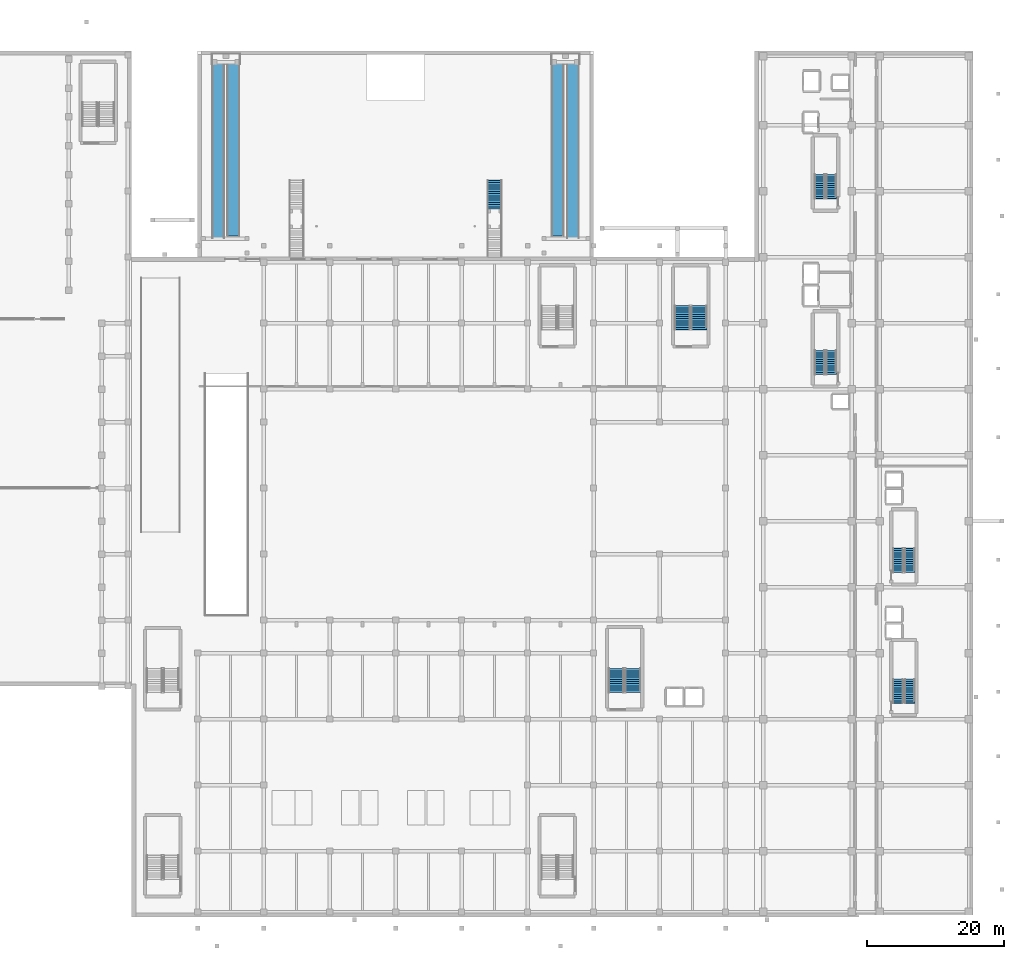
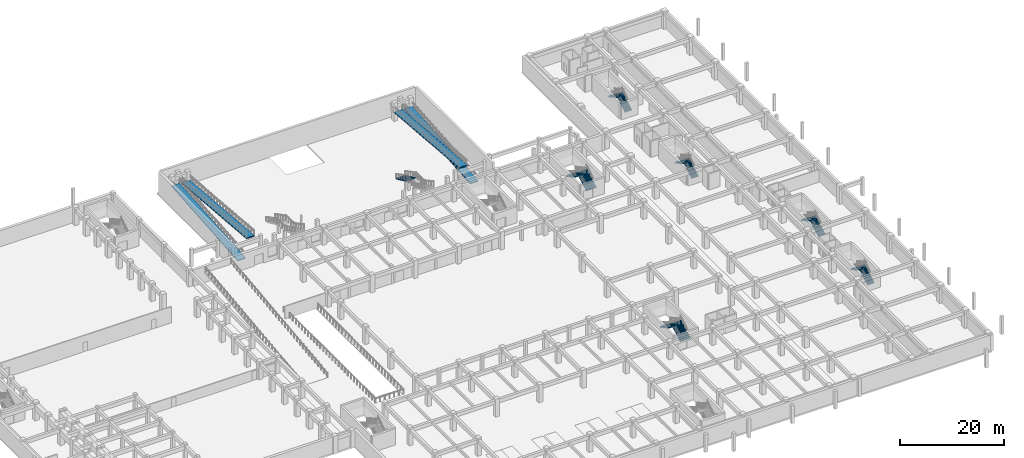
# One storey, part 20 of 39: 13 stair flights, 4 ramp flights, 9 elements without a shape of their own.
"""IFC4 building model written with IfcOpenShell, lengths in metres."""

from ifc_helpers import new_model, si_unit, direction, frame, origin, place, context, subcontext, project, spatial, polyline, outline, extrude, material, layer, layer_set, type_object, element, aggregate, save


model = new_model("IFC4")

# Units and contexts
model_context = context("Model", 3, precision=1e-05, world=origin(), true_north=direction((0.0, 1.0)))
body_context = subcontext(model_context, "Body", "Model", "MODEL_VIEW")
ifc_project = project(units=[si_unit("LENGTHUNIT", "METRE"), si_unit("AREAUNIT", "SQUARE_METRE"), si_unit("VOLUMEUNIT", "CUBIC_METRE"), si_unit("PLANEANGLEUNIT", "RADIAN"), si_unit("MASSUNIT", "GRAM", prefix="KILO")], contexts=[model_context])

# Site, building, storey
site_placement = place(None, origin())
site = spatial("IfcSite", under=ifc_project, at=site_placement, CompositionType="ELEMENT")
building_placement = place(site_placement, origin())
building = spatial("IfcBuilding", under=site, at=building_placement, Name="Nakhvara Creek Congress Hotel", CompositionType="ELEMENT")
storey_placement = place(building_placement, frame((0.0, 0.0, -4.199951171875)))
storey = spatial("IfcBuildingStorey", under=building, at=storey_placement, Name="B1", CompositionType="ELEMENT", Elevation=-4.199951171875)

# Stair, stair flights
ifc_material = material(Name="Concrete C40/50", Category="concrete")
stair_type_1 = type_object("IfcStairType", Name="ST-CORE-160", PredefinedType="HALF_TURN_STAIR", material=ifc_material)
stair_1_placement = place(storey_placement, origin())
stair_1 = element("IfcStair", 1, at=stair_1_placement, inside=storey, type_object=stair_type_1, Name="B1 Protected Exit Stair ST01", PredefinedType="HALF_TURN_STAIR")
ifc_layer_1 = layer(ifc_material, 0.18994140625)
ifc_layer_set_1 = layer_set([ifc_layer_1], Name="Concrete C40/50")
stair_flight_type_1 = type_object("IfcStairFlightType", Name="SFL-RC-160", PredefinedType="STRAIGHT", material=ifc_layer_set_1)
stair_flight_1_placement = place(storey_placement, frame((159.3798828125, 78.93994140625, 0.0), z_axis=(0.0, 0.0, 1.0), x_axis=(0.0, 1.0, 0.0)))
stair_flight_1 = element("IfcStairFlight", 2, at=stair_flight_1_placement, type_object=stair_flight_type_1, Name="ST01 flight 1", NumberOfRisers=12, NumberOfTreads=11, PredefinedType="STRAIGHT", RiserHeight=0.175, TreadLength=0.315, context=body_context, shape_type="SweptSolid", body=[
    extrude(outline(polyline([(-0.048095703125, 0.0), (0.0, 0.0), (0.0, 0.175048828125), (0.31494140625, 0.175048828125), (0.31494140625, 0.35009765625), (0.6298828125, 0.35009765625), (0.6298828125, 0.52490234375), (0.945068359375, 0.52490234375), (0.945068359375, 0.699951171875), (1.260009765625, 0.699951171875), (1.260009765625, 0.875), (1.574951171875, 0.875), (1.574951171875, 1.050048828125), (1.889892578125, 1.050048828125), (1.889892578125, 1.22509765625), (2.205078125, 1.22509765625), (2.205078125, 1.39990234375), (2.52001953125, 1.39990234375), (2.52001953125, 1.574951171875), (2.8349609375, 1.574951171875), (2.8349609375, 1.75), (3.14990234375, 1.75), (3.14990234375, 1.925048828125), (3.465087890625, 1.925048828125), (3.465087890625, 2.10009765625), (3.51318359375, 2.10009765625), (3.51318359375, 1.9501953125), (3.465087890625, 1.75341796875), (0.038818359375, -0.14990234375), (-0.048095703125, -0.14990234375), (-0.048095703125, 0.0)])), frame((0.0, 0.77001953125, 0.0), z_axis=(0.0, -1.0, 0.0), x_axis=(1.0, 0.0, 0.0)), (0.0, 0.0, 1.0), 1.5400390625),
])
stair_flight_2_placement = place(storey_placement, frame((157.68994140625, 82.405029296875, 2.099853515625), z_axis=(0.0, 0.0, 1.0), x_axis=(0.0, -1.0, 0.0)))
stair_flight_2 = element("IfcStairFlight", 3, at=stair_flight_2_placement, type_object=stair_flight_type_1, Name="ST01 flight 2", NumberOfRisers=12, NumberOfTreads=11, PredefinedType="STRAIGHT", RiserHeight=0.175, TreadLength=0.315, context=body_context, shape_type="SweptSolid", body=[
    extrude(outline(polyline([(-0.048095703125, 0.0), (0.0, 0.0), (0.0, 0.175048828125), (0.31494140625, 0.175048828125), (0.31494140625, 0.35009765625), (0.6298828125, 0.35009765625), (0.6298828125, 0.52490234375), (0.945068359375, 0.52490234375), (0.945068359375, 0.699951171875), (1.260009765625, 0.699951171875), (1.260009765625, 0.875), (1.574951171875, 0.875), (1.574951171875, 1.050048828125), (1.889892578125, 1.050048828125), (1.889892578125, 1.22509765625), (2.205078125, 1.22509765625), (2.205078125, 1.39990234375), (2.52001953125, 1.39990234375), (2.52001953125, 1.574951171875), (2.8349609375, 1.574951171875), (2.8349609375, 1.75), (3.14990234375, 1.75), (3.14990234375, 1.925048828125), (3.465087890625, 1.925048828125), (3.465087890625, 2.10009765625), (3.51318359375, 2.10009765625), (3.51318359375, 1.9501953125), (3.465087890625, 1.75341796875), (0.038818359375, -0.14990234375), (-0.048095703125, -0.14990234375), (-0.048095703125, 0.0)])), frame((0.0, 0.77001953125, 0.0), z_axis=(0.0, -1.0, 0.0), x_axis=(1.0, 0.0, 0.0)), (0.0, 0.0, 1.0), 1.5400390625),
])
aggregate(stair_1, [stair_flight_1, stair_flight_2])

stair_2_placement = place(storey_placement, origin())
stair_2 = element("IfcStair", 4, at=stair_2_placement, inside=storey, type_object=stair_type_1, Name="B1 Protected Exit Stair ST02", PredefinedType="HALF_TURN_STAIR")
stair_flight_3_placement = place(storey_placement, frame((159.3798828125, 104.5400390625, 0.0), z_axis=(0.0, 0.0, 1.0), x_axis=(0.0, 1.0, 0.0)))
stair_flight_3 = element("IfcStairFlight", 5, at=stair_flight_3_placement, type_object=stair_flight_type_1, Name="ST02 flight 1", NumberOfRisers=12, NumberOfTreads=11, PredefinedType="STRAIGHT", RiserHeight=0.175, TreadLength=0.315, context=body_context, shape_type="SweptSolid", body=[
    extrude(outline(polyline([(-0.048095703125, 0.0), (0.0, 0.0), (0.0, 0.175048828125), (0.31494140625, 0.175048828125), (0.31494140625, 0.35009765625), (0.6298828125, 0.35009765625), (0.6298828125, 0.52490234375), (0.945068359375, 0.52490234375), (0.945068359375, 0.699951171875), (1.260009765625, 0.699951171875), (1.260009765625, 0.875), (1.574951171875, 0.875), (1.574951171875, 1.050048828125), (1.889892578125, 1.050048828125), (1.889892578125, 1.22509765625), (2.205078125, 1.22509765625), (2.205078125, 1.39990234375), (2.52001953125, 1.39990234375), (2.52001953125, 1.574951171875), (2.8349609375, 1.574951171875), (2.8349609375, 1.75), (3.14990234375, 1.75), (3.14990234375, 1.925048828125), (3.465087890625, 1.925048828125), (3.465087890625, 2.10009765625), (3.51318359375, 2.10009765625), (3.51318359375, 1.9501953125), (3.465087890625, 1.75341796875), (0.038818359375, -0.14990234375), (-0.048095703125, -0.14990234375), (-0.048095703125, 0.0)])), frame((0.0, 0.77001953125, 0.0), z_axis=(0.0, -1.0, 0.0), x_axis=(1.0, 0.0, 0.0)), (0.0, 0.0, 1.0), 1.5400390625),
])
stair_flight_4_placement = place(storey_placement, frame((157.68994140625, 108.0048828125, 2.099853515625), z_axis=(0.0, 0.0, 1.0), x_axis=(0.0, -1.0, 0.0)))
stair_flight_4 = element("IfcStairFlight", 6, at=stair_flight_4_placement, type_object=stair_flight_type_1, Name="ST02 flight 2", NumberOfRisers=12, NumberOfTreads=11, PredefinedType="STRAIGHT", RiserHeight=0.175, TreadLength=0.315, context=body_context, shape_type="SweptSolid", body=[
    extrude(outline(polyline([(-0.048095703125, 0.0), (0.0, 0.0), (0.0, 0.175048828125), (0.31494140625, 0.175048828125), (0.31494140625, 0.35009765625), (0.6298828125, 0.35009765625), (0.6298828125, 0.52490234375), (0.945068359375, 0.52490234375), (0.945068359375, 0.699951171875), (1.260009765625, 0.699951171875), (1.260009765625, 0.875), (1.574951171875, 0.875), (1.574951171875, 1.050048828125), (1.889892578125, 1.050048828125), (1.889892578125, 1.22509765625), (2.205078125, 1.22509765625), (2.205078125, 1.39990234375), (2.52001953125, 1.39990234375), (2.52001953125, 1.574951171875), (2.8349609375, 1.574951171875), (2.8349609375, 1.75), (3.14990234375, 1.75), (3.14990234375, 1.925048828125), (3.465087890625, 1.925048828125), (3.465087890625, 2.10009765625), (3.51318359375, 2.10009765625), (3.51318359375, 1.9501953125), (3.465087890625, 1.75341796875), (0.038818359375, -0.14990234375), (-0.048095703125, -0.14990234375), (-0.048095703125, 0.0)])), frame((0.0, 0.77001953125, 0.0), z_axis=(0.0, -1.0, 0.0), x_axis=(1.0, 0.0, 0.0)), (0.0, 0.0, 1.0), 1.5400390625),
])
aggregate(stair_2, [stair_flight_3, stair_flight_4])

stair_3_placement = place(storey_placement, origin())
stair_3 = element("IfcStair", 7, at=stair_3_placement, inside=storey, type_object=stair_type_1, Name="B1 Protected Exit Stair ST03", PredefinedType="HALF_TURN_STAIR")
stair_flight_5_placement = place(storey_placement, frame((170.780029296875, 31.139892578125, 0.0), z_axis=(0.0, 0.0, 1.0), x_axis=(0.0, 1.0, 0.0)))
stair_flight_5 = element("IfcStairFlight", 8, at=stair_flight_5_placement, type_object=stair_flight_type_1, Name="ST03 flight 1", NumberOfRisers=12, NumberOfTreads=11, PredefinedType="STRAIGHT", RiserHeight=0.175, TreadLength=0.315, context=body_context, shape_type="SweptSolid", body=[
    extrude(outline(polyline([(-0.048095703125, 0.0), (0.0, 0.0), (0.0, 0.175048828125), (0.31494140625, 0.175048828125), (0.31494140625, 0.35009765625), (0.6298828125, 0.35009765625), (0.6298828125, 0.52490234375), (0.945068359375, 0.52490234375), (0.945068359375, 0.699951171875), (1.260009765625, 0.699951171875), (1.260009765625, 0.875), (1.574951171875, 0.875), (1.574951171875, 1.050048828125), (1.889892578125, 1.050048828125), (1.889892578125, 1.22509765625), (2.205078125, 1.22509765625), (2.205078125, 1.39990234375), (2.52001953125, 1.39990234375), (2.52001953125, 1.574951171875), (2.8349609375, 1.574951171875), (2.8349609375, 1.75), (3.14990234375, 1.75), (3.14990234375, 1.925048828125), (3.465087890625, 1.925048828125), (3.465087890625, 2.10009765625), (3.51318359375, 2.10009765625), (3.51318359375, 1.9501953125), (3.465087890625, 1.75341796875), (0.038818359375, -0.14990234375), (-0.048095703125, -0.14990234375), (-0.048095703125, 0.0)])), frame((0.0, 0.77001953125, 0.0), z_axis=(0.0, -1.0, 0.0), x_axis=(1.0, 0.0, 0.0)), (0.0, 0.0, 1.0), 1.5400390625),
])
stair_flight_6_placement = place(storey_placement, frame((169.090087890625, 34.60498046875, 2.099853515625), z_axis=(0.0, 0.0, 1.0), x_axis=(0.0, -1.0, 0.0)))
stair_flight_6 = element("IfcStairFlight", 9, at=stair_flight_6_placement, type_object=stair_flight_type_1, Name="ST03 flight 2", NumberOfRisers=12, NumberOfTreads=11, PredefinedType="STRAIGHT", RiserHeight=0.175, TreadLength=0.315, context=body_context, shape_type="SweptSolid", body=[
    extrude(outline(polyline([(-0.048095703125, 0.0), (0.0, 0.0), (0.0, 0.175048828125), (0.31494140625, 0.175048828125), (0.31494140625, 0.35009765625), (0.6298828125, 0.35009765625), (0.6298828125, 0.52490234375), (0.945068359375, 0.52490234375), (0.945068359375, 0.699951171875), (1.260009765625, 0.699951171875), (1.260009765625, 0.875), (1.574951171875, 0.875), (1.574951171875, 1.050048828125), (1.889892578125, 1.050048828125), (1.889892578125, 1.22509765625), (2.205078125, 1.22509765625), (2.205078125, 1.39990234375), (2.52001953125, 1.39990234375), (2.52001953125, 1.574951171875), (2.8349609375, 1.574951171875), (2.8349609375, 1.75), (3.14990234375, 1.75), (3.14990234375, 1.925048828125), (3.465087890625, 1.925048828125), (3.465087890625, 2.10009765625), (3.51318359375, 2.10009765625), (3.51318359375, 1.9501953125), (3.465087890625, 1.75341796875), (0.038818359375, -0.14990234375), (-0.048095703125, -0.14990234375), (-0.048095703125, 0.0)])), frame((0.0, 0.77001953125, 0.0), z_axis=(0.0, -1.0, 0.0), x_axis=(1.0, 0.0, 0.0)), (0.0, 0.0, 1.0), 1.5400390625),
])
aggregate(stair_3, [stair_flight_5, stair_flight_6])

stair_4_placement = place(storey_placement, origin())
stair_4 = element("IfcStair", 10, at=stair_4_placement, inside=storey, type_object=stair_type_1, Name="B1 Protected Exit Stair ST04", PredefinedType="HALF_TURN_STAIR")
stair_flight_7_placement = place(storey_placement, frame((170.780029296875, 50.139892578125, 0.0), z_axis=(0.0, 0.0, 1.0), x_axis=(0.0, 1.0, 0.0)))
stair_flight_7 = element("IfcStairFlight", 11, at=stair_flight_7_placement, type_object=stair_flight_type_1, Name="ST04 flight 1", NumberOfRisers=12, NumberOfTreads=11, PredefinedType="STRAIGHT", RiserHeight=0.175, TreadLength=0.315, context=body_context, shape_type="SweptSolid", body=[
    extrude(outline(polyline([(-0.048095703125, 0.0), (0.0, 0.0), (0.0, 0.175048828125), (0.31494140625, 0.175048828125), (0.31494140625, 0.35009765625), (0.6298828125, 0.35009765625), (0.6298828125, 0.52490234375), (0.945068359375, 0.52490234375), (0.945068359375, 0.699951171875), (1.260009765625, 0.699951171875), (1.260009765625, 0.875), (1.574951171875, 0.875), (1.574951171875, 1.050048828125), (1.889892578125, 1.050048828125), (1.889892578125, 1.22509765625), (2.205078125, 1.22509765625), (2.205078125, 1.39990234375), (2.52001953125, 1.39990234375), (2.52001953125, 1.574951171875), (2.8349609375, 1.574951171875), (2.8349609375, 1.75), (3.14990234375, 1.75), (3.14990234375, 1.925048828125), (3.465087890625, 1.925048828125), (3.465087890625, 2.10009765625), (3.51318359375, 2.10009765625), (3.51318359375, 1.9501953125), (3.465087890625, 1.75341796875), (0.038818359375, -0.14990234375), (-0.048095703125, -0.14990234375), (-0.048095703125, 0.0)])), frame((0.0, 0.77001953125, 0.0), z_axis=(0.0, -1.0, 0.0), x_axis=(1.0, 0.0, 0.0)), (0.0, 0.0, 1.0), 1.5400390625),
])
stair_flight_8_placement = place(storey_placement, frame((169.090087890625, 53.60498046875, 2.099853515625), z_axis=(0.0, 0.0, 1.0), x_axis=(0.0, -1.0, 0.0)))
stair_flight_8 = element("IfcStairFlight", 12, at=stair_flight_8_placement, type_object=stair_flight_type_1, Name="ST04 flight 2", NumberOfRisers=12, NumberOfTreads=11, PredefinedType="STRAIGHT", RiserHeight=0.175, TreadLength=0.315, context=body_context, shape_type="SweptSolid", body=[
    extrude(outline(polyline([(-0.048095703125, 0.0), (0.0, 0.0), (0.0, 0.175048828125), (0.31494140625, 0.175048828125), (0.31494140625, 0.35009765625), (0.6298828125, 0.35009765625), (0.6298828125, 0.52490234375), (0.945068359375, 0.52490234375), (0.945068359375, 0.699951171875), (1.260009765625, 0.699951171875), (1.260009765625, 0.875), (1.574951171875, 0.875), (1.574951171875, 1.050048828125), (1.889892578125, 1.050048828125), (1.889892578125, 1.22509765625), (2.205078125, 1.22509765625), (2.205078125, 1.39990234375), (2.52001953125, 1.39990234375), (2.52001953125, 1.574951171875), (2.8349609375, 1.574951171875), (2.8349609375, 1.75), (3.14990234375, 1.75), (3.14990234375, 1.925048828125), (3.465087890625, 1.925048828125), (3.465087890625, 2.10009765625), (3.51318359375, 2.10009765625), (3.51318359375, 1.9501953125), (3.465087890625, 1.75341796875), (0.038818359375, -0.14990234375), (-0.048095703125, -0.14990234375), (-0.048095703125, 0.0)])), frame((0.0, 0.77001953125, 0.0), z_axis=(0.0, -1.0, 0.0), x_axis=(1.0, 0.0, 0.0)), (0.0, 0.0, 1.0), 1.5400390625),
])
aggregate(stair_4, [stair_flight_7, stair_flight_8])

stair_type_2 = type_object("IfcStairType", Name="ST-CORE-230", PredefinedType="HALF_TURN_STAIR", material=ifc_material)
stair_5_placement = place(storey_placement, origin())
stair_5 = element("IfcStair", 13, at=stair_5_placement, inside=storey, type_object=stair_type_2, Name="B1 Protected Exit Stair ST06", PredefinedType="HALF_TURN_STAIR")
ifc_layer_2 = layer(ifc_material, 0.219970703125)
ifc_layer_set_2 = layer_set([ifc_layer_2], Name="Concrete C40/50")
stair_flight_type_2 = type_object("IfcStairFlightType", Name="SFL-RC-230", PredefinedType="STRAIGHT", material=ifc_layer_set_2)
stair_flight_9_placement = place(storey_placement, frame((130.52001953125, 32.679931640625, 0.0), z_axis=(0.0, 0.0, 1.0), x_axis=(0.0, 1.0, 0.0)))
stair_flight_9 = element("IfcStairFlight", 14, at=stair_flight_9_placement, type_object=stair_flight_type_2, Name="ST06 flight 1", NumberOfRisers=12, NumberOfTreads=11, PredefinedType="STRAIGHT", RiserHeight=0.175, TreadLength=0.315, context=body_context, shape_type="SweptSolid", body=[
    extrude(outline(polyline([(-0.048095703125, 0.0), (0.0, 0.0), (0.0, 0.175048828125), (0.31494140625, 0.175048828125), (0.31494140625, 0.35009765625), (0.6298828125, 0.35009765625), (0.6298828125, 0.52490234375), (0.945068359375, 0.52490234375), (0.945068359375, 0.699951171875), (1.260009765625, 0.699951171875), (1.260009765625, 0.875), (1.574951171875, 0.875), (1.574951171875, 1.050048828125), (1.889892578125, 1.050048828125), (1.889892578125, 1.22509765625), (2.205078125, 1.22509765625), (2.205078125, 1.39990234375), (2.52001953125, 1.39990234375), (2.52001953125, 1.574951171875), (2.8349609375, 1.574951171875), (2.8349609375, 1.75), (3.14990234375, 1.75), (3.14990234375, 1.925048828125), (3.465087890625, 1.925048828125), (3.465087890625, 2.10009765625), (3.51318359375, 2.10009765625), (3.51318359375, 1.9501953125), (3.465087890625, 1.75341796875), (0.038818359375, -0.14990234375), (-0.048095703125, -0.14990234375), (-0.048095703125, 0.0)])), frame((0.0, 1.14013671875, 0.0), z_axis=(0.0, -1.0, 0.0), x_axis=(1.0, 0.0, 0.0)), (0.0, 0.0, 1.0), 2.280029296875),
])
stair_flight_10_placement = place(storey_placement, frame((128.090087890625, 36.14501953125, 2.099853515625), z_axis=(0.0, 0.0, 1.0), x_axis=(0.0, -1.0, 0.0)))
stair_flight_10 = element("IfcStairFlight", 15, at=stair_flight_10_placement, type_object=stair_flight_type_2, Name="ST06 flight 2", NumberOfRisers=12, NumberOfTreads=11, PredefinedType="STRAIGHT", RiserHeight=0.175, TreadLength=0.315, context=body_context, shape_type="SweptSolid", body=[
    extrude(outline(polyline([(-0.048095703125, 0.0), (0.0, 0.0), (0.0, 0.175048828125), (0.31494140625, 0.175048828125), (0.31494140625, 0.35009765625), (0.6298828125, 0.35009765625), (0.6298828125, 0.52490234375), (0.945068359375, 0.52490234375), (0.945068359375, 0.699951171875), (1.260009765625, 0.699951171875), (1.260009765625, 0.875), (1.574951171875, 0.875), (1.574951171875, 1.050048828125), (1.889892578125, 1.050048828125), (1.889892578125, 1.22509765625), (2.205078125, 1.22509765625), (2.205078125, 1.39990234375), (2.52001953125, 1.39990234375), (2.52001953125, 1.574951171875), (2.8349609375, 1.574951171875), (2.8349609375, 1.75), (3.14990234375, 1.75), (3.14990234375, 1.925048828125), (3.465087890625, 1.925048828125), (3.465087890625, 2.10009765625), (3.51318359375, 2.10009765625), (3.51318359375, 1.9501953125), (3.465087890625, 1.75341796875), (0.038818359375, -0.14990234375), (-0.048095703125, -0.14990234375), (-0.048095703125, 0.0)])), frame((0.0, 1.14013671875, 0.0), z_axis=(0.0, -1.0, 0.0), x_axis=(1.0, 0.0, 0.0)), (0.0, 0.0, 1.0), 2.280029296875),
])
aggregate(stair_5, [stair_flight_9, stair_flight_10])

stair_6_placement = place(storey_placement, origin())
stair_6 = element("IfcStair", 16, at=stair_6_placement, inside=storey, type_object=stair_type_2, Name="B1 Protected Exit Stair ST10", PredefinedType="HALF_TURN_STAIR")
stair_flight_11_placement = place(storey_placement, frame((140.139892578125, 85.47998046875, 0.0), z_axis=(0.0, 0.0, 1.0), x_axis=(0.0, 1.0, 0.0)))
stair_flight_11 = element("IfcStairFlight", 17, at=stair_flight_11_placement, type_object=stair_flight_type_2, Name="ST10 flight 1", NumberOfRisers=12, NumberOfTreads=11, PredefinedType="STRAIGHT", RiserHeight=0.175, TreadLength=0.315, context=body_context, shape_type="SweptSolid", body=[
    extrude(outline(polyline([(-0.048095703125, 0.0), (0.0, 0.0), (0.0, 0.175048828125), (0.31494140625, 0.175048828125), (0.31494140625, 0.35009765625), (0.6298828125, 0.35009765625), (0.6298828125, 0.52490234375), (0.945068359375, 0.52490234375), (0.945068359375, 0.699951171875), (1.260009765625, 0.699951171875), (1.260009765625, 0.875), (1.574951171875, 0.875), (1.574951171875, 1.050048828125), (1.889892578125, 1.050048828125), (1.889892578125, 1.22509765625), (2.205078125, 1.22509765625), (2.205078125, 1.39990234375), (2.52001953125, 1.39990234375), (2.52001953125, 1.574951171875), (2.8349609375, 1.574951171875), (2.8349609375, 1.75), (3.14990234375, 1.75), (3.14990234375, 1.925048828125), (3.465087890625, 1.925048828125), (3.465087890625, 2.10009765625), (3.51318359375, 2.10009765625), (3.51318359375, 1.9501953125), (3.465087890625, 1.75341796875), (0.038818359375, -0.14990234375), (-0.048095703125, -0.14990234375), (-0.048095703125, 0.0)])), frame((0.0, 1.14013671875, 0.0), z_axis=(0.0, -1.0, 0.0), x_axis=(1.0, 0.0, 0.0)), (0.0, 0.0, 1.0), 2.280029296875),
])
stair_flight_12_placement = place(storey_placement, frame((137.7099609375, 88.945068359375, 2.099853515625), z_axis=(0.0, 0.0, 1.0), x_axis=(0.0, -1.0, 0.0)))
stair_flight_12 = element("IfcStairFlight", 18, at=stair_flight_12_placement, type_object=stair_flight_type_2, Name="ST10 flight 2", NumberOfRisers=12, NumberOfTreads=11, PredefinedType="STRAIGHT", RiserHeight=0.175, TreadLength=0.315, context=body_context, shape_type="SweptSolid", body=[
    extrude(outline(polyline([(-0.048095703125, 0.0), (0.0, 0.0), (0.0, 0.175048828125), (0.31494140625, 0.175048828125), (0.31494140625, 0.35009765625), (0.6298828125, 0.35009765625), (0.6298828125, 0.52490234375), (0.945068359375, 0.52490234375), (0.945068359375, 0.699951171875), (1.260009765625, 0.699951171875), (1.260009765625, 0.875), (1.574951171875, 0.875), (1.574951171875, 1.050048828125), (1.889892578125, 1.050048828125), (1.889892578125, 1.22509765625), (2.205078125, 1.22509765625), (2.205078125, 1.39990234375), (2.52001953125, 1.39990234375), (2.52001953125, 1.574951171875), (2.8349609375, 1.574951171875), (2.8349609375, 1.75), (3.14990234375, 1.75), (3.14990234375, 1.925048828125), (3.465087890625, 1.925048828125), (3.465087890625, 2.10009765625), (3.51318359375, 2.10009765625), (3.51318359375, 1.9501953125), (3.465087890625, 1.75341796875), (0.038818359375, -0.14990234375), (-0.048095703125, -0.14990234375), (-0.048095703125, 0.0)])), frame((0.0, 1.14013671875, 0.0), z_axis=(0.0, -1.0, 0.0), x_axis=(1.0, 0.0, 0.0)), (0.0, 0.0, 1.0), 2.280029296875),
])
aggregate(stair_6, [stair_flight_11, stair_flight_12])

# Stair, stair flight
stair_type_3 = type_object("IfcStairType", Name="ST-PLAZA-240", PredefinedType="STRAIGHT_RUN_STAIR", material=ifc_material)
stair_7_placement = place(storey_placement, origin())
stair_7 = element("IfcStair", 19, at=stair_7_placement, inside=storey, type_object=stair_type_3, Name="Metro Forecourt Monumental Stair ST22", PredefinedType="STRAIGHT_RUN_STAIR")
ifc_layer_3 = layer(ifc_material, 0.219970703125)
ifc_layer_set_3 = layer_set([ifc_layer_3], Name="Concrete C40/50")
stair_flight_type_3 = type_object("IfcStairFlightType", Name="SFL-RC-240", PredefinedType="STRAIGHT", material=ifc_layer_set_3)
stair_flight_13_placement = place(storey_placement, frame((110.39990234375, 107.159912109375, 0.0), z_axis=(0.0, 0.0, 1.0), x_axis=(0.0, -1.0, 0.0)))
stair_flight_13 = element("IfcStairFlight", 20, at=stair_flight_13_placement, type_object=stair_flight_type_3, Name="ST22 flight 1", NumberOfRisers=14, NumberOfTreads=13, PredefinedType="STRAIGHT", RiserHeight=0.15, TreadLength=0.32, context=body_context, shape_type="SweptSolid", body=[
    extrude(outline(polyline([(-0.048095703125, 0.0), (0.0, 0.0), (0.0, 0.14990234375), (0.320068359375, 0.14990234375), (0.320068359375, 0.300048828125), (0.639892578125, 0.300048828125), (0.639892578125, 0.449951171875), (0.9599609375, 0.449951171875), (0.9599609375, 0.60009765625), (1.280029296875, 0.60009765625), (1.280029296875, 0.75), (1.60009765625, 0.75), (1.60009765625, 0.89990234375), (1.919921875, 0.89990234375), (1.919921875, 1.050048828125), (2.239990234375, 1.050048828125), (2.239990234375, 1.199951171875), (2.56005859375, 1.199951171875), (2.56005859375, 1.35009765625), (2.8798828125, 1.35009765625), (2.8798828125, 1.5), (3.199951171875, 1.5), (3.199951171875, 1.64990234375), (3.52001953125, 1.64990234375), (3.52001953125, 1.800048828125), (3.840087890625, 1.800048828125), (3.840087890625, 1.949951171875), (4.159912109375, 1.949951171875), (4.159912109375, 2.10009765625), (4.2080078125, 2.10009765625), (4.2080078125, 1.9501953125), (4.159912109375, 1.784423828125), (0.033447265625, -0.14990234375), (-0.048095703125, -0.14990234375), (-0.048095703125, 0.0)])), frame((0.0, 1.050048828125, 0.0), z_axis=(0.0, -1.0, 0.0), x_axis=(1.0, 0.0, 0.0)), (0.0, 0.0, 1.0), 2.10009765625),
])
aggregate(stair_7, [stair_flight_13])

# Ramp, ramp flights
ramp_type = type_object("IfcRampType", Name="RMP-PED-180", PredefinedType="STRAIGHT_RUN_RAMP", material=ifc_material)
ramp_1_placement = place(storey_placement, origin())
ramp_1 = element("IfcRamp", 21, at=ramp_1_placement, inside=storey, type_object=ramp_type, Name="Accessible Pedestrian Ramp PR01", PredefinedType="STRAIGHT_RUN_RAMP")
ifc_layer_4 = layer(ifc_material, 0.219970703125)
ifc_layer_set_4 = layer_set([ifc_layer_4], Name="Concrete C40/50")
ramp_flight_type = type_object("IfcRampFlightType", Name="RFL-PED-180", PredefinedType="STRAIGHT", material=ifc_layer_set_4)
ramp_flight_1_placement = place(storey_placement, frame((70.199951171875, 98.800048828125, 0.0), z_axis=(0.0, 0.0, 1.0), x_axis=(0.0, 1.0, 0.0)))
ramp_flight_1 = element("IfcRampFlight", 22, at=ramp_flight_1_placement, type_object=ramp_flight_type, Name="Accessible Ramp Flight PR01-F1", PredefinedType="STRAIGHT", context=body_context, shape_type="SweptSolid", body=[
    extrude(outline(polyline([(-0.080078125, 0.0), (25.280029296875, 2.099853515625), (25.280029296875, 1.8798828125), (-0.080078125, -0.219970703125), (-0.080078125, 0.0)])), frame((0.0, 0.89990234375, 0.0), z_axis=(0.0, -1.0, 0.0), x_axis=(1.0, 0.0, 0.0)), (0.0, 0.0, 1.0), 1.800048828125),
])
ramp_flight_2_placement = place(storey_placement, frame((72.39990234375, 124.0, 2.099853515625), z_axis=(0.0, 0.0, 1.0), x_axis=(0.0, -1.0, 0.0)))
ramp_flight_2 = element("IfcRampFlight", 23, at=ramp_flight_2_placement, type_object=ramp_flight_type, Name="Accessible Ramp Flight PR01-F2", PredefinedType="STRAIGHT", context=body_context, shape_type="SweptSolid", body=[
    extrude(outline(polyline([(-0.080078125, 0.0), (24.93017578125, 2.10009765625), (24.93017578125, 1.880126953125), (-0.080078125, -0.219970703125), (-0.080078125, 0.0)])), frame((0.0, 0.89990234375, 0.0), z_axis=(0.0, -1.0, 0.0), x_axis=(1.0, 0.0, 0.0)), (0.0, 0.0, 1.0), 1.800048828125),
])
aggregate(ramp_1, [ramp_flight_1, ramp_flight_2])

ramp_2_placement = place(storey_placement, origin())
ramp_2 = element("IfcRamp", 24, at=ramp_2_placement, inside=storey, type_object=ramp_type, Name="Accessible Pedestrian Ramp PR02", PredefinedType="STRAIGHT_RUN_RAMP")
ramp_flight_3_placement = place(storey_placement, frame((121.800048828125, 98.800048828125, 0.0), z_axis=(0.0, 0.0, 1.0), x_axis=(0.0, 1.0, 0.0)))
ramp_flight_3 = element("IfcRampFlight", 25, at=ramp_flight_3_placement, type_object=ramp_flight_type, Name="Accessible Ramp Flight PR02-F1", PredefinedType="STRAIGHT", context=body_context, shape_type="SweptSolid", body=[
    extrude(outline(polyline([(-0.080078125, 0.0), (25.280029296875, 2.099853515625), (25.280029296875, 1.8798828125), (-0.080078125, -0.219970703125), (-0.080078125, 0.0)])), frame((0.0, 0.89990234375, 0.0), z_axis=(0.0, -1.0, 0.0), x_axis=(1.0, 0.0, 0.0)), (0.0, 0.0, 1.0), 1.800048828125),
])
ramp_flight_4_placement = place(storey_placement, frame((119.60009765625, 124.0, 2.099853515625), z_axis=(0.0, 0.0, 1.0), x_axis=(0.0, -1.0, 0.0)))
ramp_flight_4 = element("IfcRampFlight", 26, at=ramp_flight_4_placement, type_object=ramp_flight_type, Name="Accessible Ramp Flight PR02-F2", PredefinedType="STRAIGHT", context=body_context, shape_type="SweptSolid", body=[
    extrude(outline(polyline([(-0.080078125, 0.0), (24.93017578125, 2.10009765625), (24.93017578125, 1.880126953125), (-0.080078125, -0.219970703125), (-0.080078125, 0.0)])), frame((0.0, 0.89990234375, 0.0), z_axis=(0.0, -1.0, 0.0), x_axis=(1.0, 0.0, 0.0)), (0.0, 0.0, 1.0), 1.800048828125),
])
aggregate(ramp_2, [ramp_flight_3, ramp_flight_4])

save(model, "model.ifc")
